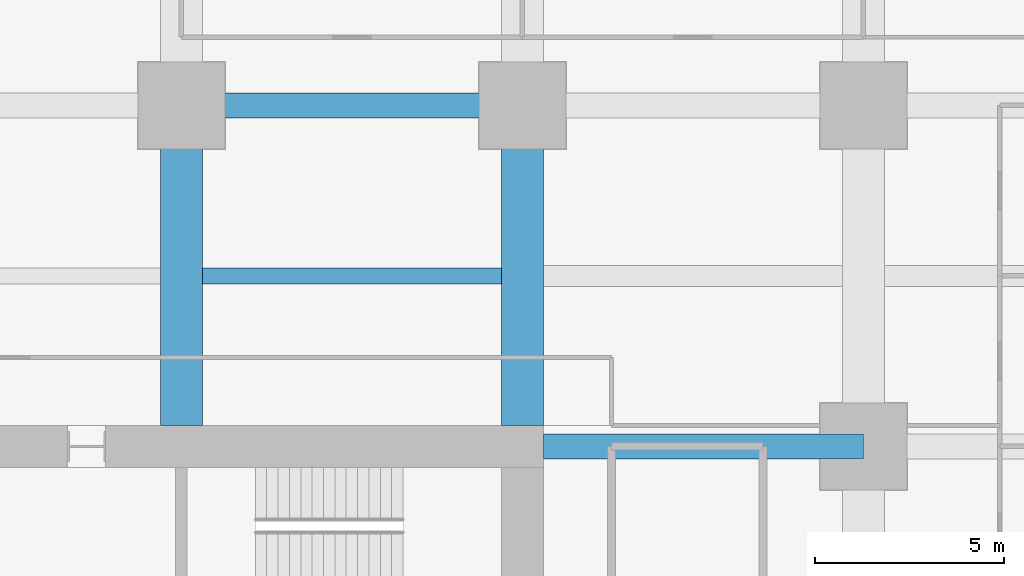
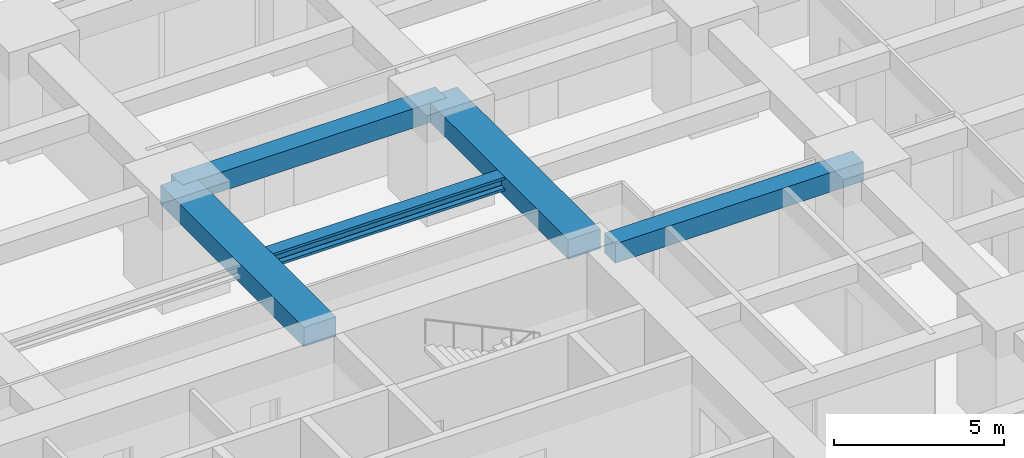
# One storey, part 31 of 45: 5 beams.
"""IFC4 building model written with IfcOpenShell, lengths in metres."""

from ifc_helpers import new_model, si_unit, direction, frame, origin, origin_2d, place, context, subcontext, project, spatial, rectangle, i_section, extrude, material, material_profile, profile_set, type_object, element, save


model = new_model("IFC4")

# Units and contexts
model_context = context("Model", 3, precision=1e-05, world=origin(), true_north=direction((0.0, 1.0)))
body_context = subcontext(model_context, "Body", "Model", "MODEL_VIEW")
ifc_project = project(units=[si_unit("LENGTHUNIT", "METRE"), si_unit("AREAUNIT", "SQUARE_METRE"), si_unit("VOLUMEUNIT", "CUBIC_METRE"), si_unit("PLANEANGLEUNIT", "RADIAN"), si_unit("MASSUNIT", "GRAM", prefix="KILO")], contexts=[model_context])

# Site, building, storey
site_placement = place(None, origin())
site = spatial("IfcSite", under=ifc_project, at=site_placement, CompositionType="ELEMENT")
building_placement = place(site_placement, origin())
building = spatial("IfcBuilding", under=site, at=building_placement, Name="Zorevar Civic Tower", CompositionType="ELEMENT")
storey_placement = place(building_placement, frame((0.0, 0.0, 27.800048828125)))
storey = spatial("IfcBuildingStorey", under=building, at=storey_placement, Name="L06", CompositionType="ELEMENT", Elevation=27.800048828125)

# Beams
ifc_material_1 = material(Name="Concrete C50/60", Category="concrete")
ifc_material_profile_1 = material_profile(ifc_material_1, rectangle(XDim=1.10009765625, YDim=0.699951171875, at=origin_2d()), Name="RC 1100x700")
ifc_profile_set_1 = profile_set([ifc_material_profile_1], Name="Concrete C50/60")
beam_type_1 = type_object("IfcBeamType", Name="Beam RC 1100x700", PredefinedType="BEAM", material=ifc_profile_set_1)
for number, where, z_axis, x_axis, name in (
    (1, (36.0, 36.550048828125, 3.39990234375), (0.0, 1.0, 0.0), (-1.0, 0.0, 0.0), "Girder L07"),
    (2, (45.0, 36.550048828125, 3.39990234375), (0.0, 1.0, 0.0), (-1.0, 0.0, 0.0), "Girder L07"),
):
    element("IfcBeam", number, at=place(storey_placement, frame(where, z_axis=z_axis, x_axis=x_axis)), inside=storey, type_object=beam_type_1, Name=name, PredefinedType="BEAM", context=body_context, shape_type="SweptSolid", body=[
        extrude(rectangle(XDim=1.10009765625, YDim=0.699951171875, at=origin_2d()), origin(), (0.0, 0.0, 1.0), 8.449951171875),
    ])
ifc_material_2 = material(Name="Concrete C50/60", Category="concrete")
ifc_material_profile_2 = material_profile(ifc_material_2, rectangle(XDim=0.64990234375, YDim=0.699951171875, at=origin_2d()), Name="RC 650x700")
ifc_profile_set_2 = profile_set([ifc_material_profile_2], Name="Concrete C50/60")
beam_type_2 = type_object("IfcBeamType", Name="Beam RC 650x700", PredefinedType="BEAM", material=ifc_profile_set_2)
beam_1_placement = place(storey_placement, frame((45.550048828125, 36.0, 3.39990234375), z_axis=(1.0, 0.0, 0.0), x_axis=(0.0, 1.0, 0.0)))
element("IfcBeam", 3, at=beam_1_placement, inside=storey, type_object=beam_type_2, Name="Girder L07", PredefinedType="BEAM", context=body_context, shape_type="SweptSolid", body=[
    extrude(rectangle(XDim=0.64990234375, YDim=0.699951171875, at=origin_2d()), origin(), (0.0, 0.0, 1.0), 8.449951171875),
])
beam_2_placement = place(storey_placement, frame((36.0, 45.0, 3.39990234375), z_axis=(1.0, 0.0, 0.0), x_axis=(0.0, 1.0, 0.0)))
element("IfcBeam", 4, at=beam_2_placement, inside=storey, type_object=beam_type_2, Name="Girder L07", PredefinedType="BEAM", context=body_context, shape_type="SweptSolid", body=[
    extrude(rectangle(XDim=0.64990234375, YDim=0.699951171875, at=origin_2d()), origin(), (0.0, 0.0, 1.0), 9.0),
])
ifc_material_3 = material(Name="Steel S460M (HISTAR 460)", Category="steel")
ifc_material_profile_3 = material_profile(ifc_material_3, i_section(OverallWidth=0.431884765625, OverallDepth=0.498046875, WebThickness=0.0556640625, FlangeThickness=0.0888671875, FilletRadius=0.014892578125, at=origin_2d()), Name="HD 400x744")
ifc_profile_set_3 = profile_set([ifc_material_profile_3], Name="Steel S460M (HISTAR 460)")
beam_type_3 = type_object("IfcBeamType", Name="Core bay beam HD 400x744", PredefinedType="BEAM", material=ifc_profile_set_3)
beam_3_placement = place(storey_placement, frame((36.550048828125, 40.5, 3.5009765625), z_axis=(1.0, 0.0, 0.0), x_axis=(0.0, 1.0, 0.0)))
element("IfcBeam", 5, at=beam_3_placement, inside=storey, type_object=beam_type_3, Name="Secondary beam L07", PredefinedType="BEAM", context=body_context, shape_type="SweptSolid", body=[
    extrude(i_section(OverallWidth=0.431884765625, OverallDepth=0.498046875, WebThickness=0.0556640625, FlangeThickness=0.0888671875, FilletRadius=0.014892578125, at=origin_2d()), origin(), (0.0, 0.0, 1.0), 7.89990234375),
])

save(model, "model.ifc")
